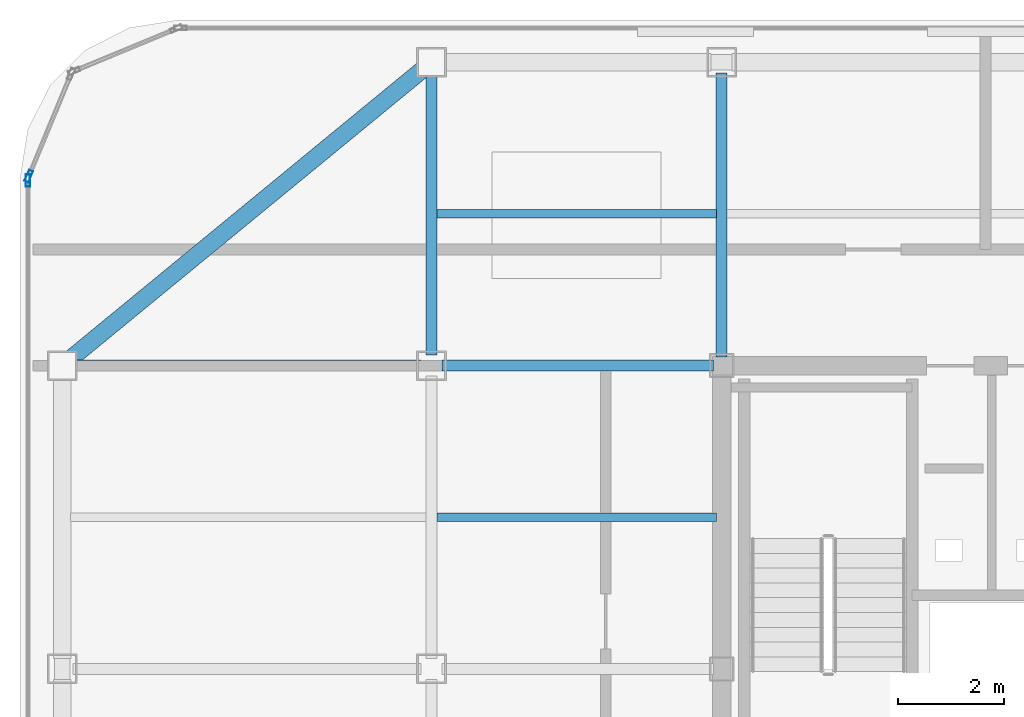
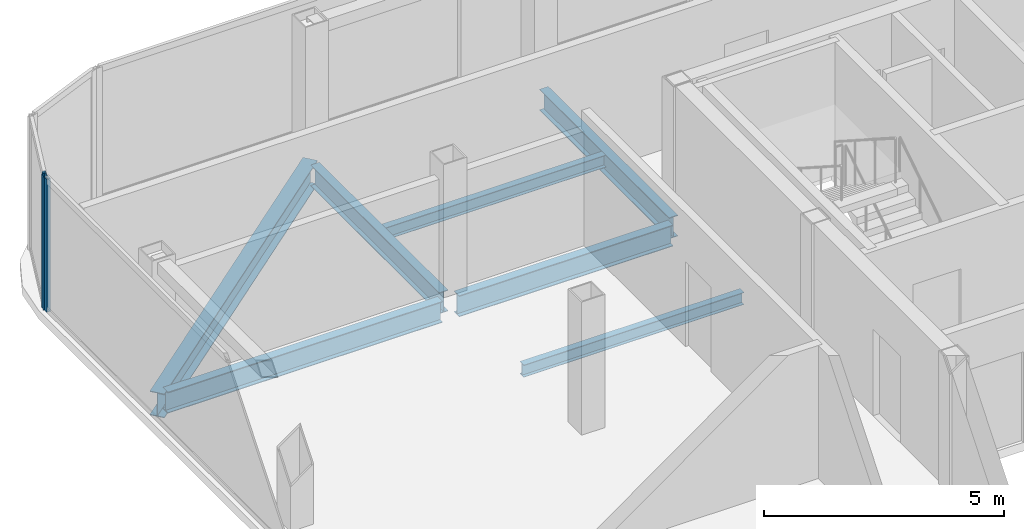
# One storey, part 4 of 15: 7 beams, 2 members, 2 elements without a shape of their own.
"""IFC4 building model written with IfcOpenShell, lengths in metres."""

import ifcopenshell
import ifcopenshell.guid

model = None  # the IFC model being written
_history = None  # IfcOwnerHistory: only IFC2X3 demands one
_inside = {}  # id of a spatial element -> (the spatial element, [elements in it])
_under = {}  # id of a project, library or spatial element -> (it, [spatial elements below it])
_declared = {}  # id of a project -> (the project, [libraries it declares])
_typed = {}  # id of a type object -> (the type object, [elements of that type])
_made_of = {}  # id of a material, layer set ... -> (it, [elements and type objects made of it])


def new_model(schema):
    """Start an empty IFC model of exactly this schema.

    Asked for "IFC4X3", IfcOpenShell would pick the latest addendum, in which some entities
    have other attributes; the version numbers below select the first issue.
    IFC2X3 requires an IfcOwnerHistory on every rooted entity: one is made here for all.
    """
    global model, _history
    if schema == "IFC4X3":
        model = ifcopenshell.file(schema_version=(4, 3, 0, 0))
    else:
        model = ifcopenshell.file(schema=schema)
    _inside.clear()
    _under.clear()
    _declared.clear()
    _typed.clear()
    _made_of.clear()
    _history = None
    if model.schema == "IFC2X3":
        org = make("IfcOrganization", Name="unknown")
        user = make(
            "IfcPersonAndOrganization",
            ThePerson=make("IfcPerson", FamilyName="unknown"),
            TheOrganization=org,
        )
        app = make(
            "IfcApplication",
            ApplicationDeveloper=org,
            Version="unknown",
            ApplicationFullName="unknown",
            ApplicationIdentifier="unknown",
        )
        _history = make(
            "IfcOwnerHistory",
            OwningUser=user,
            OwningApplication=app,
            ChangeAction="ADDED",
            CreationDate=0,
        )
    return model


def make(cls, **values):
    """One entity of the class cls with the attributes given. An attribute that is None is left unset."""
    return model.create_entity(
        cls, **{name: value for name, value in values.items() if value is not None}
    )


def rooted(cls, **values):
    """An entity with a GlobalId (a new one), such as an element, a storey or a relation."""
    return make(cls, GlobalId=ifcopenshell.guid.new(), OwnerHistory=_history, **values)


def si_unit(unit_type, name, prefix=None):
    """IfcSIUnit, for example si_unit("LENGTHUNIT", "METRE", prefix="MILLI")."""
    return make("IfcSIUnit", UnitType=unit_type, Prefix=prefix, Name=name)


def assignment(units):
    """IfcUnitAssignment: the units of a project."""
    return None if units is None else make("IfcUnitAssignment", Units=units)


def point(xyz):
    """IfcCartesianPoint."""
    return None if xyz is None else make("IfcCartesianPoint", Coordinates=xyz)


def direction(xyz):
    """IfcDirection."""
    return None if xyz is None else make("IfcDirection", DirectionRatios=xyz)


def frame(location, z_axis=None, x_axis=None):
    """IfcAxis2Placement3D, a coordinate frame: its origin and axes. An axis left out is left unset."""
    return make(
        "IfcAxis2Placement3D",
        Location=point(location),
        Axis=direction(z_axis),
        RefDirection=direction(x_axis),
    )


def frame_2d(location, x_axis=None):
    """IfcAxis2Placement2D, a coordinate frame in the plane: its origin and x axis."""
    return make(
        "IfcAxis2Placement2D", Location=point(location), RefDirection=direction(x_axis)
    )


def origin():
    """The frame at (0, 0, 0) with its axes left unset."""
    return frame((0.0, 0.0, 0.0))


def origin_2d():
    """The frame at (0, 0) in the plane with its x axis left unset."""
    return frame_2d((0.0, 0.0))


def place(relative_to, where):
    """IfcLocalPlacement: puts the frame where relative to a parent placement (None: the world)."""
    return make(
        "IfcLocalPlacement", PlacementRelTo=relative_to, RelativePlacement=where
    )


def context(
    kind, dimensions, precision=None, world=None, true_north=None, identifier=None
):
    """IfcGeometricRepresentationContext, for example the 3D "Model" context."""
    return make(
        "IfcGeometricRepresentationContext",
        ContextIdentifier=identifier,
        ContextType=kind,
        CoordinateSpaceDimension=dimensions,
        Precision=precision,
        WorldCoordinateSystem=world,
        TrueNorth=true_north,
    )


def subcontext(parent, identifier, kind, view, scale=None):
    """IfcGeometricRepresentationSubContext, for example "Body" below "Model"."""
    return make(
        "IfcGeometricRepresentationSubContext",
        ContextIdentifier=identifier,
        ContextType=kind,
        ParentContext=parent,
        TargetScale=scale,
        TargetView=view,
    )


def project(units=None, contexts=None):
    """IfcProject with its units and contexts."""
    return rooted(
        "IfcProject",
        Name="project",
        RepresentationContexts=contexts,
        UnitsInContext=assignment(units),
    )


def spatial(cls, under=None, at=None, **own):
    """A site, building, storey or space (cls), placed at a placement, below another one or the project."""
    s = rooted(cls, ObjectPlacement=at, **own)
    if under is not None:
        _under.setdefault(under.id(), (under, []))[1].append(s)
    return s


def profile(cls, at=None, kind="AREA", **sizes):
    """A parametric profile (cls). Its sizes go by their IFC names, for example OverallWidth=200.0."""
    return make(cls, ProfileType=kind, Position=at, **sizes)


def hollow_rectangle(**sizes):
    """IfcRectangleHollowProfileDef."""
    return profile("IfcRectangleHollowProfileDef", **sizes)


def i_section(**sizes):
    """IfcIShapeProfileDef."""
    return profile("IfcIShapeProfileDef", **sizes)


def extrude(swept, where, along, depth):
    """IfcExtrudedAreaSolid: the profile swept, set in the frame where, extruded along a direction by depth."""
    return make(
        "IfcExtrudedAreaSolid",
        SweptArea=swept,
        Position=where,
        ExtrudedDirection=direction(along),
        Depth=depth,
    )


def shape(context_of_items, identifier, shape_type, items):
    """IfcShapeRepresentation: the items that make up one representation, for example the "Body"."""
    return make(
        "IfcShapeRepresentation",
        ContextOfItems=context_of_items,
        RepresentationIdentifier=identifier,
        RepresentationType=shape_type,
        Items=items,
    )


def source(mapping_origin, context_of_items, identifier, shape_type, items):
    """IfcRepresentationMap: a shape defined once, which mapped items show again and again."""
    return make(
        "IfcRepresentationMap",
        MappingOrigin=mapping_origin,
        MappedRepresentation=shape(context_of_items, identifier, shape_type, items),
    )


def transform(
    local_origin,
    x_axis=None,
    y_axis=None,
    z_axis=None,
    scale=None,
    scale2=None,
    scale3=None,
    uniform=True,
):
    """IfcCartesianTransformationOperator3D, or its non-uniform kind. x_axis, y_axis, z_axis: its Axis1, 2, 3."""
    if uniform:
        return make(
            "IfcCartesianTransformationOperator3D",
            Axis1=direction(x_axis),
            Axis2=direction(y_axis),
            LocalOrigin=point(local_origin),
            Scale=scale,
            Axis3=direction(z_axis),
        )
    return make(
        "IfcCartesianTransformationOperator3DnonUniform",
        Axis1=direction(x_axis),
        Axis2=direction(y_axis),
        LocalOrigin=point(local_origin),
        Scale=scale,
        Axis3=direction(z_axis),
        Scale2=scale2,
        Scale3=scale3,
    )


def mapped(mapping_source, mapping_target):
    """IfcMappedItem: shows the shape of a source again, moved by a transform."""
    return make(
        "IfcMappedItem", MappingSource=mapping_source, MappingTarget=mapping_target
    )


def material(Name=None, Category=None):
    """IfcMaterial."""
    return make("IfcMaterial", Name=Name, Category=Category)


def layer(
    of_material, thickness, ventilated=None, Name=None, Category=None, Priority=None
):
    """IfcMaterialLayer: one layer of a wall or slab, of a material (None: an air gap)."""
    return make(
        "IfcMaterialLayer",
        Material=of_material,
        LayerThickness=thickness,
        IsVentilated=ventilated,
        Name=Name,
        Category=Category,
        Priority=Priority,
    )


def layer_set(layers, Name=None):
    """IfcMaterialLayerSet."""
    return make("IfcMaterialLayerSet", MaterialLayers=layers, LayerSetName=Name)


def material_profile(
    of_material, cross_section, Name=None, Category=None, Priority=None
):
    """IfcMaterialProfile: a cross section and its material."""
    return make(
        "IfcMaterialProfile",
        Name=Name,
        Material=of_material,
        Profile=cross_section,
        Priority=Priority,
        Category=Category,
    )


def profile_set(profiles, Name=None, composite=None):
    """IfcMaterialProfileSet."""
    return make(
        "IfcMaterialProfileSet",
        Name=Name,
        MaterialProfiles=profiles,
        CompositeProfile=composite,
    )


def made_of(thing, what):
    """Note that an element or type object is made of a material, layer set ...; save() writes the relation."""
    if what is not None:
        _made_of.setdefault(what.id(), (what, []))[1].append(thing)
    return thing


def type_object(cls, material=None, **own):
    """A type object (cls), such as IfcWallType, which elements share."""
    return made_of(rooted(cls, **own), material)


def element(
    cls,
    number,
    at=None,
    inside=None,
    cuts=None,
    type_object=None,
    material=None,
    context=None,
    identifier="Body",
    shape_type=None,
    held_by="IfcProductDefinitionShape",
    body=None,
    shapes=None,
    **own,
):
    """One element of the class cls, such as IfcWall. Its Tag is "e" and its number.

    at: its placement. inside: the storey or other place that contains it. cuts: it is an
    opening in that element (IfcRelVoidsElement). A single representation is given by context,
    identifier, shape_type and body (its items); several are given by shapes. held_by: the class
    of the entity that holds the representations. save() writes the other relations.
    """
    e = rooted(cls, Tag="e%d" % number, ObjectPlacement=at, **own)
    if body is not None:
        shapes = [shape(context, identifier, shape_type, body)]
    if shapes is not None:
        e.Representation = make(held_by, Representations=shapes)
    if inside is not None:
        _inside.setdefault(inside.id(), (inside, []))[1].append(e)
    if cuts is not None:
        rooted(
            "IfcRelVoidsElement", RelatingBuildingElement=cuts, RelatedOpeningElement=e
        )
    if type_object is not None:
        _typed.setdefault(type_object.id(), (type_object, []))[1].append(e)
    return made_of(e, material)


def aggregate(whole, parts):
    """IfcRelAggregates: a whole, such as a stair, and the parts it consists of."""
    return rooted("IfcRelAggregates", RelatingObject=whole, RelatedObjects=parts)


def save(model, path):
    """Write the relations noted so far, then the file.

    IfcRelAggregates (storeys below a building ...), IfcRelContainedInSpatialStructure (elements
    in a storey), IfcRelDefinesByType, IfcRelAssociatesMaterial and IfcRelDeclares: one each for
    every whole, place, type object, material and project.
    """
    for whole, parts in _under.values():
        aggregate(whole, parts)
    for where, things in _inside.values():
        rooted(
            "IfcRelContainedInSpatialStructure",
            RelatedElements=things,
            RelatingStructure=where,
        )
    for kind, things in _typed.values():
        rooted("IfcRelDefinesByType", RelatedObjects=things, RelatingType=kind)
    for what, things in _made_of.values():
        rooted("IfcRelAssociatesMaterial", RelatedObjects=things, RelatingMaterial=what)
    for by, libraries in _declared.values():
        rooted("IfcRelDeclares", RelatingContext=by, RelatedDefinitions=libraries)
    model.write(path)


model = new_model("IFC4")

# Units and contexts
model_context = context("Model", 3, precision=1e-05, world=origin(), true_north=direction((0.0, 1.0)))
body_context = subcontext(model_context, "Body", "Model", "MODEL_VIEW")
ifc_project = project(units=[si_unit("LENGTHUNIT", "METRE"), si_unit("AREAUNIT", "SQUARE_METRE"), si_unit("VOLUMEUNIT", "CUBIC_METRE"), si_unit("PLANEANGLEUNIT", "RADIAN"), si_unit("MASSUNIT", "GRAM", prefix="KILO")], contexts=[model_context])

# Site, building, storey
site_placement = place(None, origin())
site = spatial("IfcSite", under=ifc_project, at=site_placement, CompositionType="ELEMENT")
building_placement = place(site_placement, origin())
building = spatial("IfcBuilding", under=site, at=building_placement, Name="Kolveth Station Tower", CompositionType="ELEMENT")
storey_placement = place(building_placement, frame((0.0, 0.0, 271.300048828125)))
storey = spatial("IfcBuildingStorey", under=building, at=storey_placement, Name="L78", CompositionType="ELEMENT", Elevation=271.300048828125)

# Beams
ifc_material_1 = material(Name="Steel S355", Category="steel")
ifc_material_profile_1 = material_profile(ifc_material_1, i_section(OverallWidth=0.323974609375, OverallDepth=0.611083984375, WebThickness=0.0126953125, FlangeThickness=0.01904296875, at=origin_2d()), Name="W610x155")
ifc_profile_set_1 = profile_set([ifc_material_profile_1], Name="Steel S355")
beam_type_1 = type_object("IfcBeamType", Name="Beam_SP2", PredefinedType="SPANDREL", material=ifc_profile_set_1)
shared_shape_1 = source(origin(), body_context, "Body", "SweptSolid", [
    extrude(i_section(OverallWidth=0.323974609375, OverallDepth=0.611083984375, WebThickness=0.0126953125, FlangeThickness=0.01904296875, at=origin_2d()), origin(), (0.0, 0.0, 1.0), 9.058837890625),
])
beam_1_placement = place(storey_placement, frame((13.0, 34.5, -0.525634765625), z_axis=(-0.772726254525, -0.63473942336, 0.0), x_axis=(0.63473942336, -0.772726254525, 0.0)))
element("IfcBeam", 1, at=beam_1_placement, inside=storey, type_object=beam_type_1, Name="L78 Corner Edge Girder BM-L78-CNR-NW", PredefinedType="SPANDREL", context=body_context, shape_type="MappedRepresentation", body=[
    mapped(shared_shape_1, transform((0.0, 0.0, 0.0), x_axis=(1.0, 0.0, 0.0), y_axis=(0.0, 1.0, 0.0), z_axis=(0.0, 0.0, 1.0), scale=1.0)),
])
ifc_material_profile_2 = material_profile(ifc_material_1, i_section(OverallWidth=0.2099609375, OverallDepth=0.537109375, WebThickness=0.010986328125, FlangeThickness=0.017333984375, at=origin_2d()), Name="W530x101")
ifc_profile_set_2 = profile_set([ifc_material_profile_2], Name="Steel S355")
beam_type_2 = type_object("IfcBeamType", Name="Beam_B6", PredefinedType="BEAM", material=ifc_profile_set_2)
shared_shape_2 = source(origin(), body_context, "Body", "SweptSolid", [
    extrude(i_section(OverallWidth=0.2099609375, OverallDepth=0.537109375, WebThickness=0.010986328125, FlangeThickness=0.017333984375, at=origin_2d()), origin(), (0.0, 0.0, 1.0), 6.60009765625),
])
beam_2_placement = place(storey_placement, frame((6.199951171875, 28.75, -0.488525390625), z_axis=(1.0, 0.0, 0.0), x_axis=(0.0, 1.0, 0.0)))
element("IfcBeam", 2, at=beam_2_placement, inside=storey, type_object=beam_type_2, Name="L78 Primary Girder BM-L78-GY287-1", PredefinedType="BEAM", context=body_context, shape_type="MappedRepresentation", body=[
    mapped(shared_shape_2, transform((0.0, 0.0, 0.0), x_axis=(1.0, 0.0, 0.0), y_axis=(0.0, 1.0, 0.0), z_axis=(0.0, 0.0, 1.0), scale=1.0)),
])
shared_shape_3 = source(origin(), body_context, "Body", "SweptSolid", [
    extrude(i_section(OverallWidth=0.2099609375, OverallDepth=0.537109375, WebThickness=0.010986328125, FlangeThickness=0.017333984375, at=origin_2d()), origin(), (0.0, 0.0, 1.0), 5.14013671875),
])
beam_3_placement = place(storey_placement, frame((13.199951171875, 28.75, -0.488525390625), z_axis=(1.0, 0.0, 0.0), x_axis=(0.0, 1.0, 0.0)))
element("IfcBeam", 3, at=beam_3_placement, inside=storey, type_object=beam_type_2, Name="L78 Primary Girder BM-L78-GY287-2", PredefinedType="BEAM", context=body_context, shape_type="MappedRepresentation", body=[
    mapped(shared_shape_3, transform((0.0, 0.0, 0.0), x_axis=(1.0, 0.0, 0.0), y_axis=(0.0, 1.0, 0.0), z_axis=(0.0, 0.0, 1.0), scale=1.0)),
])
shared_shape_4 = source(origin(), body_context, "Body", "SweptSolid", [
    extrude(i_section(OverallWidth=0.2099609375, OverallDepth=0.537109375, WebThickness=0.010986328125, FlangeThickness=0.017333984375, at=origin_2d()), origin(), (0.0, 0.0, 1.0), 5.35009765625),
])
beam_4_placement = place(storey_placement, frame((13.0, 28.949951171875, -0.488525390625), z_axis=(0.0, 1.0, 0.0), x_axis=(-1.0, 0.0, 0.0)))
element("IfcBeam", 4, at=beam_4_placement, inside=storey, type_object=beam_type_2, Name="L78 Primary Girder BM-L78-GX130-6", PredefinedType="BEAM", context=body_context, shape_type="MappedRepresentation", body=[
    mapped(shared_shape_4, transform((0.0, 0.0, 0.0), x_axis=(1.0, 0.0, 0.0), y_axis=(0.0, 1.0, 0.0), z_axis=(0.0, 0.0, 1.0), scale=1.0)),
])
shared_shape_5 = source(origin(), body_context, "Body", "SweptSolid", [
    extrude(i_section(OverallWidth=0.2099609375, OverallDepth=0.537109375, WebThickness=0.010986328125, FlangeThickness=0.017333984375, at=origin_2d()), origin(), (0.0, 0.0, 1.0), 5.39013671875),
])
beam_5_placement = place(storey_placement, frame((18.5, 28.909912109375, -0.488525390625), z_axis=(0.0, 1.0, 0.0), x_axis=(-1.0, 0.0, 0.0)))
element("IfcBeam", 5, at=beam_5_placement, inside=storey, type_object=beam_type_2, Name="L78 Primary Girder BM-L78-GX185-6", PredefinedType="BEAM", context=body_context, shape_type="MappedRepresentation", body=[
    mapped(shared_shape_5, transform((0.0, 0.0, 0.0), x_axis=(1.0, 0.0, 0.0), y_axis=(0.0, 1.0, 0.0), z_axis=(0.0, 0.0, 1.0), scale=1.0)),
])
ifc_material_profile_3 = material_profile(ifc_material_1, i_section(OverallWidth=0.1650390625, OverallDepth=0.31005859375, WebThickness=0.005859375, FlangeThickness=0.009765625, at=origin_2d()), Name="W310x39")
ifc_profile_set_3 = profile_set([ifc_material_profile_3], Name="Steel S355")
beam_type_3 = type_object("IfcBeamType", Name="Beam_J3", PredefinedType="JOIST", material=ifc_profile_set_3)
shared_shape_6 = source(origin(), body_context, "Body", "SweptSolid", [
    extrude(i_section(OverallWidth=0.1650390625, OverallDepth=0.31005859375, WebThickness=0.005859375, FlangeThickness=0.009765625, at=origin_2d()), origin(), (0.0, 0.0, 1.0), 5.2939453125),
])
for number, where, z_axis, x_axis, name in (
    (6, (13.10302734375, 25.875, -0.375), (1.0, 0.0, 0.0), (0.0, 1.0, 0.0), "L78 Secondary Joist JST-L78-2-5"),
    (7, (13.10302734375, 31.625, -0.375), (1.0, 0.0, 0.0), (0.0, 1.0, 0.0), "L78 Secondary Joist JST-L78-2-6"),
):
    element("IfcBeam", number, at=place(storey_placement, frame(where, z_axis=z_axis, x_axis=x_axis)), inside=storey, type_object=beam_type_3, Name=name, PredefinedType="JOIST", context=body_context, shape_type="MappedRepresentation", body=[
        mapped(shared_shape_6, transform((0.0, 0.0, 0.0), x_axis=(1.0, 0.0, 0.0), y_axis=(0.0, 1.0, 0.0), z_axis=(0.0, 0.0, 1.0), scale=1.0)),
    ])

# Curtain wall, member
ifc_material_2 = material(Name="Black anodized aluminium 6063-T6 and dark crown glass", Category="aluminium")
ifc_layer = layer(ifc_material_2, 0.169921875)
ifc_layer_set = layer_set([ifc_layer], Name="Black anodized aluminium 6063-T6 and dark crown glass")
curtain_wall_type = type_object("IfcCurtainWallType", Name="CurtainWall_CW-CR", PredefinedType="NOTDEFINED", material=ifc_layer_set)
curtain_wall_1_placement = place(storey_placement, origin())
curtain_wall_1 = element("IfcCurtainWall", 8, at=curtain_wall_1_placement, inside=storey, type_object=curtain_wall_type, Name="L78 Stepped Crown Curtain Wall 8", PredefinedType="NOTDEFINED")
ifc_material_3 = material(Name="Black anodized aluminium 6063-T6", Category="aluminium")
ifc_material_profile_4 = material_profile(ifc_material_3, hollow_rectangle(XDim=0.0849609375, YDim=0.22998046875, WallThickness=0.0048828125, at=origin_2d()), Name="ALU-85x230x5")
ifc_profile_set_4 = profile_set([ifc_material_profile_4], Name="Black anodized aluminium 6063-T6")
member_type = type_object("IfcMemberType", Name="Mullion_ML-CR", PredefinedType="MULLION", material=ifc_profile_set_4)
shared_shape_7 = source(origin(), body_context, "Body", "SweptSolid", [
    extrude(hollow_rectangle(XDim=0.0849609375, YDim=0.22998046875, WallThickness=0.0048828125, at=origin_2d()), origin(), (0.0, 0.0, 1.0), 3.3798828125),
])
member_1_placement = place(storey_placement, frame((5.3662109375, 32.33935546875, 0.0), z_axis=(0.0, 0.0, 1.0), x_axis=(0.923890001426, -0.382658157192, 0.0)))
member_1 = element("IfcMember", 9, at=member_1_placement, type_object=member_type, Name="CW-CR mullion 2", PredefinedType="MULLION", context=body_context, shape_type="MappedRepresentation", body=[
    mapped(shared_shape_7, transform((0.0, 0.0, 0.0), x_axis=(1.0, 0.0, 0.0), y_axis=(0.0, 1.0, 0.0), z_axis=(0.0, 0.0, 1.0), scale=1.0)),
])
aggregate(curtain_wall_1, [member_1])

curtain_wall_2_placement = place(storey_placement, origin())
curtain_wall_2 = element("IfcCurtainWall", 10, at=curtain_wall_2_placement, inside=storey, type_object=curtain_wall_type, Name="L78 Stepped Crown Curtain Wall 9", PredefinedType="NOTDEFINED")
member_2_placement = place(storey_placement, frame((5.35009765625, 32.257568359375, 0.0), z_axis=(0.0, 0.0, 1.0), x_axis=(1.0, 0.0, 0.0)))
member_2 = element("IfcMember", 11, at=member_2_placement, type_object=member_type, Name="CW-CR mullion 1", PredefinedType="MULLION", context=body_context, shape_type="MappedRepresentation", body=[
    mapped(shared_shape_7, transform((0.0, 0.0, 0.0), x_axis=(1.0, 0.0, 0.0), y_axis=(0.0, 1.0, 0.0), z_axis=(0.0, 0.0, 1.0), scale=1.0)),
])
aggregate(curtain_wall_2, [member_2])

save(model, "model.ifc")
